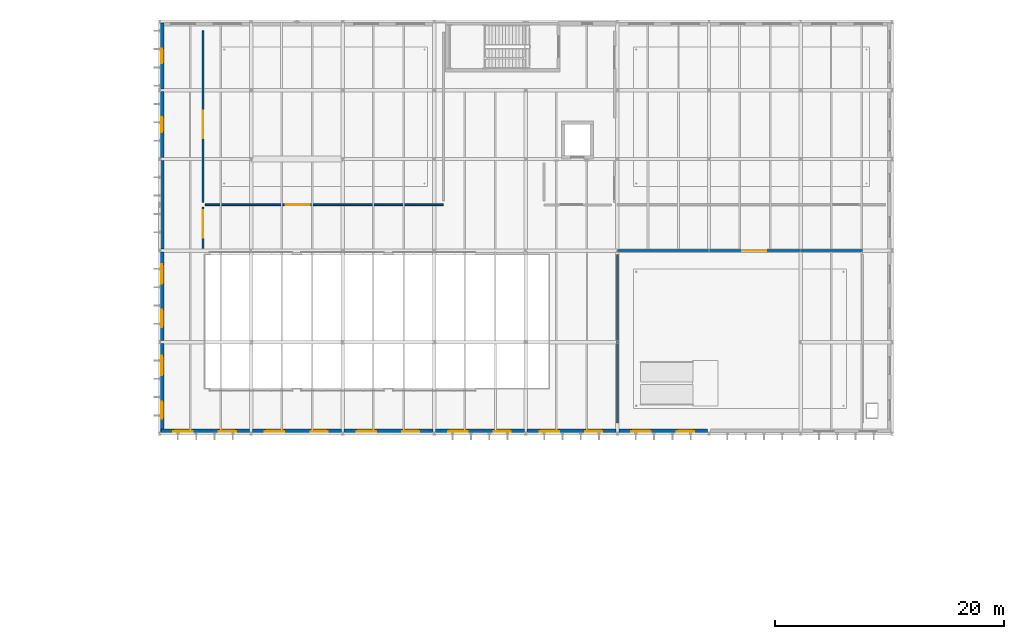
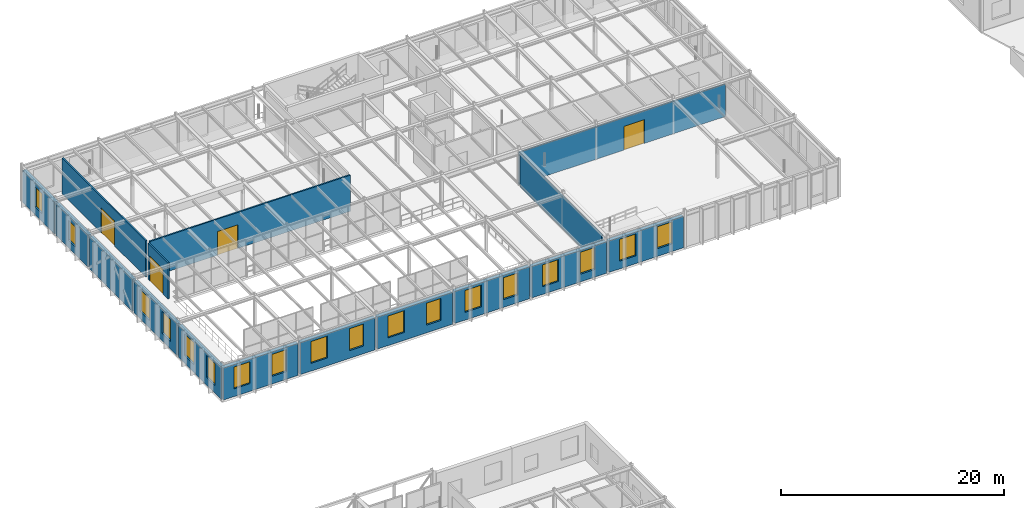
# One storey, part 82 of 124: 18 windows, 16 walls, 4 doors, 22 openings.
"""IFC4 building model written with IfcOpenShell, lengths in metres."""

from ifc_helpers import new_model, si_unit, direction, frame, frame_2d, origin, place, context, subcontext, project, spatial, rectangle, extrude, material, layer, layer_set, type_object, element, fill, save


model = new_model("IFC4")

# Units and contexts
model_context = context("Model", 3, precision=1e-05, world=origin(), true_north=direction((0.0, 1.0)))
body_context = subcontext(model_context, "Body", "Model", "MODEL_VIEW")
ifc_project = project(units=[si_unit("LENGTHUNIT", "METRE"), si_unit("AREAUNIT", "SQUARE_METRE"), si_unit("VOLUMEUNIT", "CUBIC_METRE"), si_unit("PLANEANGLEUNIT", "RADIAN"), si_unit("MASSUNIT", "GRAM", prefix="KILO")], contexts=[model_context])

# Site, building, storey
site_placement = place(None, origin())
site = spatial("IfcSite", under=ifc_project, at=site_placement, CompositionType="ELEMENT")
building_placement = place(site_placement, origin())
building = spatial("IfcBuilding", under=site, at=building_placement, Name="Sundkrona Museum", CompositionType="ELEMENT")
storey_placement = place(building_placement, frame((0.0, 0.0, 17.60009765625)))
storey = spatial("IfcBuildingStorey", under=building, at=storey_placement, Name="L03", CompositionType="ELEMENT", Elevation=17.60009765625)

# Wall, openings, windows
ifc_material_1 = material(Name="Scanian Polychrome Clay Brickwork 390 mm", Category="masonry")
ifc_layer_1 = layer(ifc_material_1, 0.389892578125)
ifc_layer_set_1 = layer_set([ifc_layer_1], Name="Scanian Polychrome Clay Brickwork 390 mm")
wall_type_1 = type_object("IfcWallType", Name="W-EX-390", PredefinedType="SOLIDWALL", material=ifc_layer_set_1)
wall_1_placement = place(storey_placement, frame((23.8779296875, 78.195068359375, 0.0), z_axis=(0.0, 0.0, 1.0), x_axis=(-1.0, 0.0, 0.0)))
wall_1 = element("IfcWall", 1, at=wall_1_placement, inside=storey, type_object=wall_type_1, Name="L03 Facade Wall 0154", PredefinedType="SOLIDWALL", context=body_context, shape_type="SweptSolid", body=[
    extrude(rectangle(XDim=7.755859375, YDim=0.389892578125, at=frame_2d((3.8779296875, 0.0))), origin(), (0.0, 0.0, 1.0), 3.5048828125),
])
opening_1_placement = place(wall_1_placement, frame((1.18896484375, 0.0, 0.85009765625)))
opening_1 = element("IfcOpeningElement", 2, at=opening_1_placement, cuts=wall_1, Name="Opening WN-GL-150x240", PredefinedType="OPENING", context=body_context, shape_type="SweptSolid", body=[
    extrude(rectangle(XDim=1.5, YDim=2.39990234375, at=frame_2d((0.75, 1.199951171875))), frame((0.0, 0.204833984375, 0.0), z_axis=(0.0, -1.0, 0.0), x_axis=(1.0, 0.0, 0.0)), (0.0, 0.0, 1.0), 0.409912109375),
])
opening_2_placement = place(wall_1_placement, frame((4.967041015625, 0.0, 0.85009765625)))
opening_2 = element("IfcOpeningElement", 3, at=opening_2_placement, cuts=wall_1, Name="Opening WN-GL-170x240", PredefinedType="OPENING", context=body_context, shape_type="SweptSolid", body=[
    extrude(rectangle(XDim=1.699951171875, YDim=2.39990234375, at=frame_2d((0.85009765625, 1.199951171875))), frame((0.0, 0.204833984375, 0.0), z_axis=(0.0, -1.0, 0.0), x_axis=(1.0, 0.0, 0.0)), (0.0, 0.0, 1.0), 0.409912109375),
])
ifc_material_2 = material(Name="Triple Low-E Argon Glazing in Bronze-Anodised Aluminium", Category="aluminium")
window_type_1 = type_object("IfcWindowType", Name="WN-GL-150x240", PartitioningType="SINGLE_PANEL", PredefinedType="WINDOW", material=ifc_material_2)
window_1_placement = place(opening_1_placement, origin())
window_1 = element("IfcWindow", 4, at=window_1_placement, inside=storey, type_object=window_type_1, Name="L03 Finned wing deep-reveal gallery window 1500x2400 WIN-L03-0212", OverallHeight=2.39990234375, OverallWidth=1.5, PartitioningType="SINGLE_PANEL", PredefinedType="WINDOW", context=body_context, shape_type="SweptSolid", body=[
    extrude(rectangle(XDim=1.5, YDim=2.39990234375, at=frame_2d((0.75, 1.199951171875))), frame((0.0, 0.030029296875, 0.0), z_axis=(0.0, -1.0, 0.0), x_axis=(1.0, 0.0, 0.0)), (0.0, 0.0, 1.0), 0.06005859375),
])
fill(opening_1, window_1)
window_type_2 = type_object("IfcWindowType", Name="WN-GL-170x240", PartitioningType="DOUBLE_PANEL_VERTICAL", PredefinedType="WINDOW", material=ifc_material_2)
window_2_placement = place(opening_2_placement, origin())
window_2 = element("IfcWindow", 5, at=window_2_placement, inside=storey, type_object=window_type_2, Name="L03 Finned wing wide gallery window 1700x2400 WIN-L03-0213", OverallHeight=2.39990234375, OverallWidth=1.699951171875, PartitioningType="DOUBLE_PANEL_VERTICAL", PredefinedType="WINDOW", context=body_context, shape_type="SweptSolid", body=[
    extrude(rectangle(XDim=1.699951171875, YDim=2.39990234375, at=frame_2d((0.85009765625, 1.199951171875))), frame((0.0, 0.030029296875, 0.0), z_axis=(0.0, -1.0, 0.0), x_axis=(1.0, 0.0, 0.0)), (0.0, 0.0, 1.0), 0.06005859375),
])
fill(opening_2, window_2)

wall_2_placement = place(storey_placement, frame((31.8779296875, 78.195068359375, 0.0), z_axis=(0.0, 0.0, 1.0), x_axis=(-1.0, 0.0, 0.0)))
wall_2 = element("IfcWall", 6, at=wall_2_placement, inside=storey, type_object=wall_type_1, Name="L03 Facade Wall 0155", PredefinedType="SOLIDWALL", context=body_context, shape_type="SweptSolid", body=[
    extrude(rectangle(XDim=7.755859375, YDim=0.389892578125, at=frame_2d((3.8779296875, 0.0))), origin(), (0.0, 0.0, 1.0), 3.5048828125),
])
opening_3_placement = place(wall_2_placement, frame((1.18896484375, 0.0, 0.85009765625)))
opening_3 = element("IfcOpeningElement", 7, at=opening_3_placement, cuts=wall_2, Name="Opening WN-GL-150x240", PredefinedType="OPENING", context=body_context, shape_type="SweptSolid", body=[
    extrude(rectangle(XDim=1.5, YDim=2.39990234375, at=frame_2d((0.75, 1.199951171875))), frame((0.0, 0.204833984375, 0.0), z_axis=(0.0, -1.0, 0.0), x_axis=(1.0, 0.0, 0.0)), (0.0, 0.0, 1.0), 0.409912109375),
])
opening_4_placement = place(wall_2_placement, frame((4.967041015625, 0.0, 0.85009765625)))
opening_4 = element("IfcOpeningElement", 8, at=opening_4_placement, cuts=wall_2, Name="Opening WN-GL-170x240", PredefinedType="OPENING", context=body_context, shape_type="SweptSolid", body=[
    extrude(rectangle(XDim=1.699951171875, YDim=2.39990234375, at=frame_2d((0.85009765625, 1.199951171875))), frame((0.0, 0.204833984375, 0.0), z_axis=(0.0, -1.0, 0.0), x_axis=(1.0, 0.0, 0.0)), (0.0, 0.0, 1.0), 0.409912109375),
])
window_3_placement = place(opening_3_placement, origin())
window_3 = element("IfcWindow", 9, at=window_3_placement, inside=storey, type_object=window_type_1, Name="L03 Finned wing deep-reveal gallery window 1500x2400 WIN-L03-0214", OverallHeight=2.39990234375, OverallWidth=1.5, PartitioningType="SINGLE_PANEL", PredefinedType="WINDOW", context=body_context, shape_type="SweptSolid", body=[
    extrude(rectangle(XDim=1.5, YDim=2.39990234375, at=frame_2d((0.75, 1.199951171875))), frame((0.0, 0.030029296875, 0.0), z_axis=(0.0, -1.0, 0.0), x_axis=(1.0, 0.0, 0.0)), (0.0, 0.0, 1.0), 0.06005859375),
])
fill(opening_3, window_3)
window_4_placement = place(opening_4_placement, origin())
window_4 = element("IfcWindow", 10, at=window_4_placement, inside=storey, type_object=window_type_2, Name="L03 Finned wing wide gallery window 1700x2400 WIN-L03-0215", OverallHeight=2.39990234375, OverallWidth=1.699951171875, PartitioningType="DOUBLE_PANEL_VERTICAL", PredefinedType="WINDOW", context=body_context, shape_type="SweptSolid", body=[
    extrude(rectangle(XDim=1.699951171875, YDim=2.39990234375, at=frame_2d((0.85009765625, 1.199951171875))), frame((0.0, 0.030029296875, 0.0), z_axis=(0.0, -1.0, 0.0), x_axis=(1.0, 0.0, 0.0)), (0.0, 0.0, 1.0), 0.06005859375),
])
fill(opening_4, window_4)

wall_3_placement = place(storey_placement, frame((39.8779296875, 78.195068359375, 0.0), z_axis=(0.0, 0.0, 1.0), x_axis=(-1.0, 0.0, 0.0)))
wall_3 = element("IfcWall", 11, at=wall_3_placement, inside=storey, type_object=wall_type_1, Name="L03 Facade Wall 0156", PredefinedType="SOLIDWALL", context=body_context, shape_type="SweptSolid", body=[
    extrude(rectangle(XDim=7.755859375, YDim=0.389892578125, at=frame_2d((3.8779296875, 0.0))), origin(), (0.0, 0.0, 1.0), 3.5048828125),
])
opening_5_placement = place(wall_3_placement, frame((1.18896484375, 0.0, 0.85009765625)))
opening_5 = element("IfcOpeningElement", 12, at=opening_5_placement, cuts=wall_3, Name="Opening WN-GL-150x240", PredefinedType="OPENING", context=body_context, shape_type="SweptSolid", body=[
    extrude(rectangle(XDim=1.5, YDim=2.39990234375, at=frame_2d((0.75, 1.199951171875))), frame((0.0, 0.204833984375, 0.0), z_axis=(0.0, -1.0, 0.0), x_axis=(1.0, 0.0, 0.0)), (0.0, 0.0, 1.0), 0.409912109375),
])
opening_6_placement = place(wall_3_placement, frame((4.967041015625, 0.0, 0.85009765625)))
opening_6 = element("IfcOpeningElement", 13, at=opening_6_placement, cuts=wall_3, Name="Opening WN-GL-170x240", PredefinedType="OPENING", context=body_context, shape_type="SweptSolid", body=[
    extrude(rectangle(XDim=1.699951171875, YDim=2.39990234375, at=frame_2d((0.85009765625, 1.199951171875))), frame((0.0, 0.204833984375, 0.0), z_axis=(0.0, -1.0, 0.0), x_axis=(1.0, 0.0, 0.0)), (0.0, 0.0, 1.0), 0.409912109375),
])
window_5_placement = place(opening_5_placement, origin())
window_5 = element("IfcWindow", 14, at=window_5_placement, inside=storey, type_object=window_type_1, Name="L03 Finned wing deep-reveal gallery window 1500x2400 WIN-L03-0216", OverallHeight=2.39990234375, OverallWidth=1.5, PartitioningType="SINGLE_PANEL", PredefinedType="WINDOW", context=body_context, shape_type="SweptSolid", body=[
    extrude(rectangle(XDim=1.5, YDim=2.39990234375, at=frame_2d((0.75, 1.199951171875))), frame((0.0, 0.030029296875, 0.0), z_axis=(0.0, -1.0, 0.0), x_axis=(1.0, 0.0, 0.0)), (0.0, 0.0, 1.0), 0.06005859375),
])
fill(opening_5, window_5)
window_6_placement = place(opening_6_placement, origin())
window_6 = element("IfcWindow", 15, at=window_6_placement, inside=storey, type_object=window_type_2, Name="L03 Finned wing wide gallery window 1700x2400 WIN-L03-0217", OverallHeight=2.39990234375, OverallWidth=1.699951171875, PartitioningType="DOUBLE_PANEL_VERTICAL", PredefinedType="WINDOW", context=body_context, shape_type="SweptSolid", body=[
    extrude(rectangle(XDim=1.699951171875, YDim=2.39990234375, at=frame_2d((0.85009765625, 1.199951171875))), frame((0.0, 0.030029296875, 0.0), z_axis=(0.0, -1.0, 0.0), x_axis=(1.0, 0.0, 0.0)), (0.0, 0.0, 1.0), 0.06005859375),
])
fill(opening_6, window_6)

wall_4_placement = place(storey_placement, frame((47.8779296875, 78.195068359375, 0.0), z_axis=(0.0, 0.0, 1.0), x_axis=(-1.0, 0.0, 0.0)))
wall_4 = element("IfcWall", 16, at=wall_4_placement, inside=storey, type_object=wall_type_1, Name="L03 Facade Wall 0157", PredefinedType="SOLIDWALL", context=body_context, shape_type="SweptSolid", body=[
    extrude(rectangle(XDim=7.755859375, YDim=0.389892578125, at=frame_2d((3.8779296875, 0.0))), origin(), (0.0, 0.0, 1.0), 3.5048828125),
])
opening_7_placement = place(wall_4_placement, frame((1.18896484375, 0.0, 0.85009765625)))
opening_7 = element("IfcOpeningElement", 17, at=opening_7_placement, cuts=wall_4, Name="Opening WN-GL-150x240", PredefinedType="OPENING", context=body_context, shape_type="SweptSolid", body=[
    extrude(rectangle(XDim=1.5, YDim=2.39990234375, at=frame_2d((0.75, 1.199951171875))), frame((0.0, 0.204833984375, 0.0), z_axis=(0.0, -1.0, 0.0), x_axis=(1.0, 0.0, 0.0)), (0.0, 0.0, 1.0), 0.409912109375),
])
opening_8_placement = place(wall_4_placement, frame((4.967041015625, 0.0, 0.85009765625)))
opening_8 = element("IfcOpeningElement", 18, at=opening_8_placement, cuts=wall_4, Name="Opening WN-GL-170x240", PredefinedType="OPENING", context=body_context, shape_type="SweptSolid", body=[
    extrude(rectangle(XDim=1.699951171875, YDim=2.39990234375, at=frame_2d((0.85009765625, 1.199951171875))), frame((0.0, 0.204833984375, 0.0), z_axis=(0.0, -1.0, 0.0), x_axis=(1.0, 0.0, 0.0)), (0.0, 0.0, 1.0), 0.409912109375),
])
window_7_placement = place(opening_7_placement, origin())
window_7 = element("IfcWindow", 19, at=window_7_placement, inside=storey, type_object=window_type_1, Name="L03 Finned wing deep-reveal gallery window 1500x2400 WIN-L03-0218", OverallHeight=2.39990234375, OverallWidth=1.5, PartitioningType="SINGLE_PANEL", PredefinedType="WINDOW", context=body_context, shape_type="SweptSolid", body=[
    extrude(rectangle(XDim=1.5, YDim=2.39990234375, at=frame_2d((0.75, 1.199951171875))), frame((0.0, 0.030029296875, 0.0), z_axis=(0.0, -1.0, 0.0), x_axis=(1.0, 0.0, 0.0)), (0.0, 0.0, 1.0), 0.06005859375),
])
fill(opening_7, window_7)
window_8_placement = place(opening_8_placement, origin())
window_8 = element("IfcWindow", 20, at=window_8_placement, inside=storey, type_object=window_type_2, Name="L03 Finned wing wide gallery window 1700x2400 WIN-L03-0219", OverallHeight=2.39990234375, OverallWidth=1.699951171875, PartitioningType="DOUBLE_PANEL_VERTICAL", PredefinedType="WINDOW", context=body_context, shape_type="SweptSolid", body=[
    extrude(rectangle(XDim=1.699951171875, YDim=2.39990234375, at=frame_2d((0.85009765625, 1.199951171875))), frame((0.0, 0.030029296875, 0.0), z_axis=(0.0, -1.0, 0.0), x_axis=(1.0, 0.0, 0.0)), (0.0, 0.0, 1.0), 0.06005859375),
])
fill(opening_8, window_8)

wall_5_placement = place(storey_placement, frame((55.8779296875, 78.195068359375, 0.0), z_axis=(0.0, 0.0, 1.0), x_axis=(-1.0, 0.0, 0.0)))
wall_5 = element("IfcWall", 21, at=wall_5_placement, inside=storey, type_object=wall_type_1, Name="L03 Facade Wall 0158", PredefinedType="SOLIDWALL", context=body_context, shape_type="SweptSolid", body=[
    extrude(rectangle(XDim=7.755859375, YDim=0.389892578125, at=frame_2d((3.8779296875, 0.0))), origin(), (0.0, 0.0, 1.0), 3.44482421875),
])
opening_9_placement = place(wall_5_placement, frame((1.18896484375, 0.0, 0.85009765625)))
opening_9 = element("IfcOpeningElement", 22, at=opening_9_placement, cuts=wall_5, Name="Opening WN-GL-150x240", PredefinedType="OPENING", context=body_context, shape_type="SweptSolid", body=[
    extrude(rectangle(XDim=1.5, YDim=2.39990234375, at=frame_2d((0.75, 1.199951171875))), frame((0.0, 0.204833984375, 0.0), z_axis=(0.0, -1.0, 0.0), x_axis=(1.0, 0.0, 0.0)), (0.0, 0.0, 1.0), 0.409912109375),
])
opening_10_placement = place(wall_5_placement, frame((4.967041015625, 0.0, 0.85009765625)))
opening_10 = element("IfcOpeningElement", 23, at=opening_10_placement, cuts=wall_5, Name="Opening WN-GL-170x240", PredefinedType="OPENING", context=body_context, shape_type="SweptSolid", body=[
    extrude(rectangle(XDim=1.699951171875, YDim=2.39990234375, at=frame_2d((0.85009765625, 1.199951171875))), frame((0.0, 0.204833984375, 0.0), z_axis=(0.0, -1.0, 0.0), x_axis=(1.0, 0.0, 0.0)), (0.0, 0.0, 1.0), 0.409912109375),
])
window_9_placement = place(opening_9_placement, origin())
window_9 = element("IfcWindow", 24, at=window_9_placement, inside=storey, type_object=window_type_1, Name="L03 Finned wing deep-reveal gallery window 1500x2400 WIN-L03-0220", OverallHeight=2.39990234375, OverallWidth=1.5, PartitioningType="SINGLE_PANEL", PredefinedType="WINDOW", context=body_context, shape_type="SweptSolid", body=[
    extrude(rectangle(XDim=1.5, YDim=2.39990234375, at=frame_2d((0.75, 1.199951171875))), frame((0.0, 0.030029296875, 0.0), z_axis=(0.0, -1.0, 0.0), x_axis=(1.0, 0.0, 0.0)), (0.0, 0.0, 1.0), 0.06005859375),
])
fill(opening_9, window_9)
window_10_placement = place(opening_10_placement, origin())
window_10 = element("IfcWindow", 25, at=window_10_placement, inside=storey, type_object=window_type_2, Name="L03 Finned wing wide gallery window 1700x2400 WIN-L03-0221", OverallHeight=2.39990234375, OverallWidth=1.699951171875, PartitioningType="DOUBLE_PANEL_VERTICAL", PredefinedType="WINDOW", context=body_context, shape_type="SweptSolid", body=[
    extrude(rectangle(XDim=1.699951171875, YDim=2.39990234375, at=frame_2d((0.85009765625, 1.199951171875))), frame((0.0, 0.030029296875, 0.0), z_axis=(0.0, -1.0, 0.0), x_axis=(1.0, 0.0, 0.0)), (0.0, 0.0, 1.0), 0.06005859375),
])
fill(opening_10, window_10)

wall_6_placement = place(storey_placement, frame((63.8779296875, 78.195068359375, 0.0), z_axis=(0.0, 0.0, 1.0), x_axis=(-1.0, 0.0, 0.0)))
wall_6 = element("IfcWall", 26, at=wall_6_placement, inside=storey, type_object=wall_type_1, Name="L03 Facade Wall 0159", PredefinedType="SOLIDWALL", context=body_context, shape_type="SweptSolid", body=[
    extrude(rectangle(XDim=7.755859375, YDim=0.389892578125, at=frame_2d((3.8779296875, 0.0))), origin(), (0.0, 0.0, 1.0), 3.44482421875),
])
opening_11_placement = place(wall_6_placement, frame((1.18896484375, 0.0, 0.85009765625)))
opening_11 = element("IfcOpeningElement", 27, at=opening_11_placement, cuts=wall_6, Name="Opening WN-GL-150x240", PredefinedType="OPENING", context=body_context, shape_type="SweptSolid", body=[
    extrude(rectangle(XDim=1.5, YDim=2.39990234375, at=frame_2d((0.75, 1.199951171875))), frame((0.0, 0.204833984375, 0.0), z_axis=(0.0, -1.0, 0.0), x_axis=(1.0, 0.0, 0.0)), (0.0, 0.0, 1.0), 0.409912109375),
])
opening_12_placement = place(wall_6_placement, frame((4.967041015625, 0.0, 0.85009765625)))
opening_12 = element("IfcOpeningElement", 28, at=opening_12_placement, cuts=wall_6, Name="Opening WN-GL-170x240", PredefinedType="OPENING", context=body_context, shape_type="SweptSolid", body=[
    extrude(rectangle(XDim=1.699951171875, YDim=2.39990234375, at=frame_2d((0.85009765625, 1.199951171875))), frame((0.0, 0.204833984375, 0.0), z_axis=(0.0, -1.0, 0.0), x_axis=(1.0, 0.0, 0.0)), (0.0, 0.0, 1.0), 0.409912109375),
])
window_11_placement = place(opening_11_placement, origin())
window_11 = element("IfcWindow", 29, at=window_11_placement, inside=storey, type_object=window_type_1, Name="L03 Finned wing deep-reveal gallery window 1500x2400 WIN-L03-0222", OverallHeight=2.39990234375, OverallWidth=1.5, PartitioningType="SINGLE_PANEL", PredefinedType="WINDOW", context=body_context, shape_type="SweptSolid", body=[
    extrude(rectangle(XDim=1.5, YDim=2.39990234375, at=frame_2d((0.75, 1.199951171875))), frame((0.0, 0.030029296875, 0.0), z_axis=(0.0, -1.0, 0.0), x_axis=(1.0, 0.0, 0.0)), (0.0, 0.0, 1.0), 0.06005859375),
])
fill(opening_11, window_11)
window_12_placement = place(opening_12_placement, origin())
window_12 = element("IfcWindow", 30, at=window_12_placement, inside=storey, type_object=window_type_2, Name="L03 Finned wing wide gallery window 1700x2400 WIN-L03-0223", OverallHeight=2.39990234375, OverallWidth=1.699951171875, PartitioningType="DOUBLE_PANEL_VERTICAL", PredefinedType="WINDOW", context=body_context, shape_type="SweptSolid", body=[
    extrude(rectangle(XDim=1.699951171875, YDim=2.39990234375, at=frame_2d((0.85009765625, 1.199951171875))), frame((0.0, 0.030029296875, 0.0), z_axis=(0.0, -1.0, 0.0), x_axis=(1.0, 0.0, 0.0)), (0.0, 0.0, 1.0), 0.06005859375),
])
fill(opening_12, window_12)

wall_7_placement = place(storey_placement, frame((16.195068359375, 78.1220703125, 0.0), z_axis=(0.0, 0.0, 1.0), x_axis=(0.0, 1.0, 0.0)))
wall_7 = element("IfcWall", 31, at=wall_7_placement, inside=storey, type_object=wall_type_1, Name="L03 Facade Wall 0162", PredefinedType="SOLIDWALL", context=body_context, shape_type="SweptSolid", body=[
    extrude(rectangle(XDim=7.755859375, YDim=0.389892578125, at=frame_2d((3.8779296875, 0.0))), origin(), (0.0, 0.0, 1.0), 3.5048828125),
])
opening_13_placement = place(wall_7_placement, frame((1.18896484375, 0.0, 0.85009765625)))
opening_13 = element("IfcOpeningElement", 32, at=opening_13_placement, cuts=wall_7, Name="Opening WN-GL-150x240", PredefinedType="OPENING", context=body_context, shape_type="SweptSolid", body=[
    extrude(rectangle(XDim=1.5, YDim=2.39990234375, at=frame_2d((0.75, 1.199951171875))), frame((0.0, 0.204833984375, 0.0), z_axis=(0.0, -1.0, 0.0), x_axis=(1.0, 0.0, 0.0)), (0.0, 0.0, 1.0), 0.409912109375),
])
opening_14_placement = place(wall_7_placement, frame((4.967041015625, 0.0, 0.85009765625)))
opening_14 = element("IfcOpeningElement", 33, at=opening_14_placement, cuts=wall_7, Name="Opening WN-GL-170x240", PredefinedType="OPENING", context=body_context, shape_type="SweptSolid", body=[
    extrude(rectangle(XDim=1.699951171875, YDim=2.39990234375, at=frame_2d((0.85009765625, 1.199951171875))), frame((0.0, 0.204833984375, 0.0), z_axis=(0.0, -1.0, 0.0), x_axis=(1.0, 0.0, 0.0)), (0.0, 0.0, 1.0), 0.409912109375),
])
window_13_placement = place(opening_13_placement, origin())
window_13 = element("IfcWindow", 34, at=window_13_placement, inside=storey, type_object=window_type_1, Name="L03 Finned wing deep-reveal gallery window 1500x2400 WIN-L03-0226", OverallHeight=2.39990234375, OverallWidth=1.5, PartitioningType="SINGLE_PANEL", PredefinedType="WINDOW", context=body_context, shape_type="SweptSolid", body=[
    extrude(rectangle(XDim=1.5, YDim=2.39990234375, at=frame_2d((0.75, 1.199951171875))), frame((0.0, 0.030029296875, 0.0), z_axis=(0.0, -1.0, 0.0), x_axis=(1.0, 0.0, 0.0)), (0.0, 0.0, 1.0), 0.06005859375),
])
fill(opening_13, window_13)
window_14_placement = place(opening_14_placement, origin())
window_14 = element("IfcWindow", 35, at=window_14_placement, inside=storey, type_object=window_type_2, Name="L03 Finned wing wide gallery window 1700x2400 WIN-L03-0227", OverallHeight=2.39990234375, OverallWidth=1.699951171875, PartitioningType="DOUBLE_PANEL_VERTICAL", PredefinedType="WINDOW", context=body_context, shape_type="SweptSolid", body=[
    extrude(rectangle(XDim=1.699951171875, YDim=2.39990234375, at=frame_2d((0.85009765625, 1.199951171875))), frame((0.0, 0.030029296875, 0.0), z_axis=(0.0, -1.0, 0.0), x_axis=(1.0, 0.0, 0.0)), (0.0, 0.0, 1.0), 0.06005859375),
])
fill(opening_14, window_14)

wall_8_placement = place(storey_placement, frame((16.195068359375, 86.1220703125, 0.0), z_axis=(0.0, 0.0, 1.0), x_axis=(0.0, 1.0, 0.0)))
wall_8 = element("IfcWall", 36, at=wall_8_placement, inside=storey, type_object=wall_type_1, Name="L03 Facade Wall 0163", PredefinedType="SOLIDWALL", context=body_context, shape_type="SweptSolid", body=[
    extrude(rectangle(XDim=7.755859375, YDim=0.389892578125, at=frame_2d((3.8779296875, 0.0))), origin(), (0.0, 0.0, 1.0), 3.5048828125),
])
opening_15_placement = place(wall_8_placement, frame((1.18896484375, 0.0, 0.85009765625)))
opening_15 = element("IfcOpeningElement", 37, at=opening_15_placement, cuts=wall_8, Name="Opening WN-GL-150x240", PredefinedType="OPENING", context=body_context, shape_type="SweptSolid", body=[
    extrude(rectangle(XDim=1.5, YDim=2.39990234375, at=frame_2d((0.75, 1.199951171875))), frame((0.0, 0.204833984375, 0.0), z_axis=(0.0, -1.0, 0.0), x_axis=(1.0, 0.0, 0.0)), (0.0, 0.0, 1.0), 0.409912109375),
])
opening_16_placement = place(wall_8_placement, frame((4.967041015625, 0.0, 0.85009765625)))
opening_16 = element("IfcOpeningElement", 38, at=opening_16_placement, cuts=wall_8, Name="Opening WN-GL-170x240", PredefinedType="OPENING", context=body_context, shape_type="SweptSolid", body=[
    extrude(rectangle(XDim=1.699951171875, YDim=2.39990234375, at=frame_2d((0.85009765625, 1.199951171875))), frame((0.0, 0.204833984375, 0.0), z_axis=(0.0, -1.0, 0.0), x_axis=(1.0, 0.0, 0.0)), (0.0, 0.0, 1.0), 0.409912109375),
])
window_15_placement = place(opening_15_placement, origin())
window_15 = element("IfcWindow", 39, at=window_15_placement, inside=storey, type_object=window_type_1, Name="L03 Finned wing deep-reveal gallery window 1500x2400 WIN-L03-0228", OverallHeight=2.39990234375, OverallWidth=1.5, PartitioningType="SINGLE_PANEL", PredefinedType="WINDOW", context=body_context, shape_type="SweptSolid", body=[
    extrude(rectangle(XDim=1.5, YDim=2.39990234375, at=frame_2d((0.75, 1.199951171875))), frame((0.0, 0.030029296875, 0.0), z_axis=(0.0, -1.0, 0.0), x_axis=(1.0, 0.0, 0.0)), (0.0, 0.0, 1.0), 0.06005859375),
])
fill(opening_15, window_15)
window_16_placement = place(opening_16_placement, origin())
window_16 = element("IfcWindow", 40, at=window_16_placement, inside=storey, type_object=window_type_2, Name="L03 Finned wing wide gallery window 1700x2400 WIN-L03-0229", OverallHeight=2.39990234375, OverallWidth=1.699951171875, PartitioningType="DOUBLE_PANEL_VERTICAL", PredefinedType="WINDOW", context=body_context, shape_type="SweptSolid", body=[
    extrude(rectangle(XDim=1.699951171875, YDim=2.39990234375, at=frame_2d((0.85009765625, 1.199951171875))), frame((0.0, 0.030029296875, 0.0), z_axis=(0.0, -1.0, 0.0), x_axis=(1.0, 0.0, 0.0)), (0.0, 0.0, 1.0), 0.06005859375),
])
fill(opening_16, window_16)

# Wall
wall_9_placement = place(storey_placement, frame((16.195068359375, 94.1220703125, 0.0), z_axis=(0.0, 0.0, 1.0), x_axis=(0.0, 1.0, 0.0)))
element("IfcWall", 41, at=wall_9_placement, inside=storey, type_object=wall_type_1, Name="L03 Facade Wall 0164", PredefinedType="SOLIDWALL", context=body_context, shape_type="SweptSolid", body=[
    extrude(rectangle(XDim=7.755859375, YDim=0.389892578125, at=frame_2d((3.8779296875, 0.0))), origin(), (0.0, 0.0, 1.0), 3.5048828125),
])

# Wall, opening, window
wall_10_placement = place(storey_placement, frame((16.195068359375, 102.1220703125, 0.0), z_axis=(0.0, 0.0, 1.0), x_axis=(0.0, 1.0, 0.0)))
wall_10 = element("IfcWall", 42, at=wall_10_placement, inside=storey, type_object=wall_type_1, Name="L03 Facade Wall 0165", PredefinedType="SOLIDWALL", context=body_context, shape_type="SweptSolid", body=[
    extrude(rectangle(XDim=5.755859375, YDim=0.389892578125, at=frame_2d((2.8779296875, 0.0))), origin(), (0.0, 0.0, 1.0), 3.5048828125),
])
opening_17_placement = place(wall_10_placement, frame((2.22802734375, 0.0, 0.85009765625)))
opening_17 = element("IfcOpeningElement", 43, at=opening_17_placement, cuts=wall_10, Name="Opening WN-GL-130x220", PredefinedType="OPENING", context=body_context, shape_type="SweptSolid", body=[
    extrude(rectangle(XDim=1.300048828125, YDim=2.199951171875, at=frame_2d((0.64990234375, 1.10009765625))), frame((0.0, 0.204833984375, 0.0), z_axis=(0.0, -1.0, 0.0), x_axis=(1.0, 0.0, 0.0)), (0.0, 0.0, 1.0), 0.409912109375),
])
window_type_3 = type_object("IfcWindowType", Name="WN-GL-130x220", PartitioningType="SINGLE_PANEL", PredefinedType="WINDOW", material=ifc_material_2)
window_17_placement = place(opening_17_placement, origin())
window_17 = element("IfcWindow", 44, at=window_17_placement, inside=storey, type_object=window_type_3, Name="L03 Cabinet gallery window 1300x2200 WIN-L03-0230", OverallHeight=2.199951171875, OverallWidth=1.300048828125, PartitioningType="SINGLE_PANEL", PredefinedType="WINDOW", context=body_context, shape_type="SweptSolid", body=[
    extrude(rectangle(XDim=1.300048828125, YDim=2.199951171875, at=frame_2d((0.64990234375, 1.10009765625))), frame((0.0, 0.030029296875, 0.0), z_axis=(0.0, -1.0, 0.0), x_axis=(1.0, 0.0, 0.0)), (0.0, 0.0, 1.0), 0.06005859375),
])
fill(opening_17, window_17)

wall_11_placement = place(storey_placement, frame((16.195068359375, 108.1220703125, 0.0), z_axis=(0.0, 0.0, 1.0), x_axis=(0.0, 1.0, 0.0)))
wall_11 = element("IfcWall", 45, at=wall_11_placement, inside=storey, type_object=wall_type_1, Name="L03 Facade Wall 0166", PredefinedType="SOLIDWALL", context=body_context, shape_type="SweptSolid", body=[
    extrude(rectangle(XDim=5.755859375, YDim=0.389892578125, at=frame_2d((2.8779296875, 0.0))), origin(), (0.0, 0.0, 1.0), 3.5048828125),
])
opening_18_placement = place(wall_11_placement, frame((2.22802734375, 0.0, 0.85009765625)))
opening_18 = element("IfcOpeningElement", 46, at=opening_18_placement, cuts=wall_11, Name="Opening WN-GL-130x220", PredefinedType="OPENING", context=body_context, shape_type="SweptSolid", body=[
    extrude(rectangle(XDim=1.300048828125, YDim=2.199951171875, at=frame_2d((0.64990234375, 1.10009765625))), frame((0.0, 0.204833984375, 0.0), z_axis=(0.0, -1.0, 0.0), x_axis=(1.0, 0.0, 0.0)), (0.0, 0.0, 1.0), 0.409912109375),
])
window_18_placement = place(opening_18_placement, origin())
window_18 = element("IfcWindow", 47, at=window_18_placement, inside=storey, type_object=window_type_3, Name="L03 Cabinet gallery window 1300x2200 WIN-L03-0231", OverallHeight=2.199951171875, OverallWidth=1.300048828125, PartitioningType="SINGLE_PANEL", PredefinedType="WINDOW", context=body_context, shape_type="SweptSolid", body=[
    extrude(rectangle(XDim=1.300048828125, YDim=2.199951171875, at=frame_2d((0.64990234375, 1.10009765625))), frame((0.0, 0.030029296875, 0.0), z_axis=(0.0, -1.0, 0.0), x_axis=(1.0, 0.0, 0.0)), (0.0, 0.0, 1.0), 0.06005859375),
])
fill(opening_18, window_18)

# Wall, opening, door
ifc_material_3 = material(Name="Acoustic Gypsum Partition Board 150 mm", Category="other")
ifc_layer_2 = layer(ifc_material_3, 0.14990234375)
ifc_layer_set_2 = layer_set([ifc_layer_2], Name="Acoustic Gypsum Partition Board 150 mm")
wall_type_2 = type_object("IfcWallType", Name="W-PT-150", PredefinedType="PARTITIONING", material=ifc_layer_set_2)
wall_12_placement = place(storey_placement, frame((19.800048828125, 94.199951171875, 0.0), z_axis=(0.0, 0.0, 1.0), x_axis=(0.0, 1.0, 0.0)))
wall_12 = element("IfcWall", 48, at=wall_12_placement, inside=storey, type_object=wall_type_2, Name="L03 Partition North Ecology Spine / Botanical Exhibition Hall", PredefinedType="PARTITIONING", context=body_context, shape_type="SweptSolid", body=[
    extrude(rectangle(XDim=3.60009765625, YDim=0.14990234375, at=frame_2d((1.800048828125, 0.0))), origin(), (0.0, 0.0, 1.0), 3.9599609375),
])
opening_19_placement = place(wall_12_placement, frame((0.89990234375, 0.0, 0.0)))
opening_19 = element("IfcOpeningElement", 49, at=opening_19_placement, cuts=wall_12, Name="Opening D-GAL-240", PredefinedType="OPENING", context=body_context, shape_type="SweptSolid", body=[
    extrude(rectangle(XDim=2.39990234375, YDim=2.75, at=frame_2d((1.199951171875, 1.375))), frame((0.0, 0.0849609375, 0.0), z_axis=(0.0, -1.0, 0.0), x_axis=(1.0, 0.0, 0.0)), (0.0, 0.0, 1.0), 0.169921875),
])
ifc_material_4 = material(Name="European Oak and Bronze Portal", Category="other")
door_type_1 = type_object("IfcDoorType", Name="D-GAL-240", OperationType="DOUBLE_DOOR_DOUBLE_SWING", PredefinedType="DOOR", material=ifc_material_4)
door_1_placement = place(opening_19_placement, origin())
door_1 = element("IfcDoor", 50, at=door_1_placement, inside=storey, type_object=door_type_1, Name="L03 Interior Door DR-ADJ-L03-0170", OperationType="DOUBLE_DOOR_DOUBLE_SWING", OverallHeight=2.75, OverallWidth=2.39990234375, PredefinedType="DOOR", context=body_context, shape_type="SweptSolid", body=[
    extrude(rectangle(XDim=2.39990234375, YDim=2.75, at=frame_2d((1.199951171875, 1.375))), frame((0.0, 0.02490234375, 0.0), z_axis=(0.0, -1.0, 0.0), x_axis=(1.0, 0.0, 0.0)), (0.0, 0.0, 1.0), 0.050048828125),
])
fill(opening_19, door_1)

wall_13_placement = place(storey_placement, frame((20.0, 98.0, 0.0), z_axis=(0.0, 0.0, 1.0), x_axis=(1.0, 0.0, 0.0)))
wall_13 = element("IfcWall", 51, at=wall_13_placement, inside=storey, type_object=wall_type_2, Name="L03 Partition North Ecology Spine / Arctic Expeditions Gallery", PredefinedType="PARTITIONING", context=body_context, shape_type="SweptSolid", body=[
    extrude(rectangle(XDim=20.800048828125, YDim=0.14990234375, at=frame_2d((10.39990234375, 0.0))), origin(), (0.0, 0.0, 1.0), 3.9599609375),
])
opening_20_placement = place(wall_13_placement, frame((7.043212890625, 0.0, 0.0)))
opening_20 = element("IfcOpeningElement", 52, at=opening_20_placement, cuts=wall_13, Name="Opening D-GAL-210", PredefinedType="OPENING", context=body_context, shape_type="SweptSolid", body=[
    extrude(rectangle(XDim=2.10009765625, YDim=2.60009765625, at=frame_2d((1.050048828125, 1.300048828125))), frame((0.0, 0.0849609375, 0.0), z_axis=(0.0, -1.0, 0.0), x_axis=(1.0, 0.0, 0.0)), (0.0, 0.0, 1.0), 0.169921875),
])
ifc_material_5 = material(Name="European Oak Gallery Door", Category="other")
door_type_2 = type_object("IfcDoorType", Name="D-GAL-210", OperationType="DOUBLE_DOOR_SINGLE_SWING", PredefinedType="DOOR", material=ifc_material_5)
door_2_placement = place(opening_20_placement, origin())
door_2 = element("IfcDoor", 53, at=door_2_placement, inside=storey, type_object=door_type_2, Name="L03 Interior Door DR-ADJ-L03-0171", OperationType="DOUBLE_DOOR_SINGLE_SWING", OverallHeight=2.60009765625, OverallWidth=2.10009765625, PredefinedType="DOOR", context=body_context, shape_type="SweptSolid", body=[
    extrude(rectangle(XDim=2.10009765625, YDim=2.60009765625, at=frame_2d((1.050048828125, 1.300048828125))), frame((0.0, 0.02490234375, 0.0), z_axis=(0.0, -1.0, 0.0), x_axis=(1.0, 0.0, 0.0)), (0.0, 0.0, 1.0), 0.050048828125),
])
fill(opening_20, door_2)

wall_14_placement = place(storey_placement, frame((56.0, 94.0, 0.0), z_axis=(0.0, 0.0, 1.0), x_axis=(1.0, 0.0, 0.0)))
wall_14 = element("IfcWall", 54, at=wall_14_placement, inside=storey, type_object=wall_type_2, Name="L03 Partition North Ecology Spine / Nordic Ecology Gallery", PredefinedType="PARTITIONING", context=body_context, shape_type="SweptSolid", body=[
    extrude(rectangle(XDim=21.39990234375, YDim=0.14990234375, at=frame_2d((10.699951171875, 0.0))), origin(), (0.0, 0.0, 1.0), 3.5498046875),
])
opening_21_placement = place(wall_14_placement, frame((10.885009765625, 0.0, 0.0)))
opening_21 = element("IfcOpeningElement", 55, at=opening_21_placement, cuts=wall_14, Name="Opening D-GAL-210", PredefinedType="OPENING", context=body_context, shape_type="SweptSolid", body=[
    extrude(rectangle(XDim=2.10009765625, YDim=2.60009765625, at=frame_2d((1.050048828125, 1.300048828125))), frame((0.0, 0.0849609375, 0.0), z_axis=(0.0, -1.0, 0.0), x_axis=(1.0, 0.0, 0.0)), (0.0, 0.0, 1.0), 0.169921875),
])
door_3_placement = place(opening_21_placement, origin())
door_3 = element("IfcDoor", 56, at=door_3_placement, inside=storey, type_object=door_type_2, Name="L03 Interior Door DR-ADJ-L03-0172", OperationType="DOUBLE_DOOR_SINGLE_SWING", OverallHeight=2.60009765625, OverallWidth=2.10009765625, PredefinedType="DOOR", context=body_context, shape_type="SweptSolid", body=[
    extrude(rectangle(XDim=2.10009765625, YDim=2.60009765625, at=frame_2d((1.050048828125, 1.300048828125))), frame((0.0, 0.02490234375, 0.0), z_axis=(0.0, -1.0, 0.0), x_axis=(1.0, 0.0, 0.0)), (0.0, 0.0, 1.0), 0.050048828125),
])
fill(opening_21, door_3)

wall_15_placement = place(storey_placement, frame((19.800048828125, 98.199951171875, 0.0), z_axis=(0.0, 0.0, 1.0), x_axis=(0.0, 1.0, 0.0)))
wall_15 = element("IfcWall", 57, at=wall_15_placement, inside=storey, type_object=wall_type_2, Name="L03 Partition Botanical Exhibition Hall / Arctic Expeditions Gallery", PredefinedType="PARTITIONING", context=body_context, shape_type="SweptSolid", body=[
    extrude(rectangle(XDim=15.0, YDim=0.14990234375, at=frame_2d((7.5, 0.0))), origin(), (0.0, 0.0, 1.0), 3.9599609375),
])
opening_22_placement = place(wall_15_placement, frame((5.593994140625, 0.0, 0.0)))
opening_22 = element("IfcOpeningElement", 58, at=opening_22_placement, cuts=wall_15, Name="Opening D-GAL-240", PredefinedType="OPENING", context=body_context, shape_type="SweptSolid", body=[
    extrude(rectangle(XDim=2.39990234375, YDim=2.75, at=frame_2d((1.199951171875, 1.375))), frame((0.0, 0.0849609375, 0.0), z_axis=(0.0, -1.0, 0.0), x_axis=(1.0, 0.0, 0.0)), (0.0, 0.0, 1.0), 0.169921875),
])
door_4_placement = place(opening_22_placement, origin())
door_4 = element("IfcDoor", 59, at=door_4_placement, inside=storey, type_object=door_type_1, Name="L03 Interior Door DR-ADJ-L03-0178", OperationType="DOUBLE_DOOR_DOUBLE_SWING", OverallHeight=2.75, OverallWidth=2.39990234375, PredefinedType="DOOR", context=body_context, shape_type="SweptSolid", body=[
    extrude(rectangle(XDim=2.39990234375, YDim=2.75, at=frame_2d((1.199951171875, 1.375))), frame((0.0, 0.02490234375, 0.0), z_axis=(0.0, -1.0, 0.0), x_axis=(1.0, 0.0, 0.0)), (0.0, 0.0, 1.0), 0.050048828125),
])
fill(opening_22, door_4)

# Wall
wall_16_placement = place(storey_placement, frame((56.0, 78.949951171875, 0.0), z_axis=(0.0, 0.0, 1.0), x_axis=(0.0, 1.0, 0.0)))
element("IfcWall", 60, at=wall_16_placement, inside=storey, type_object=wall_type_2, Name="L03 Nordic Ecology Gallery Enclosure Wall W", PredefinedType="PARTITIONING", context=body_context, shape_type="SweptSolid", body=[
    extrude(rectangle(XDim=14.699951171875, YDim=0.14990234375, at=frame_2d((7.35009765625, 0.0))), origin(), (0.0, 0.0, 1.0), 3.5498046875),
])

save(model, "model.ifc")
